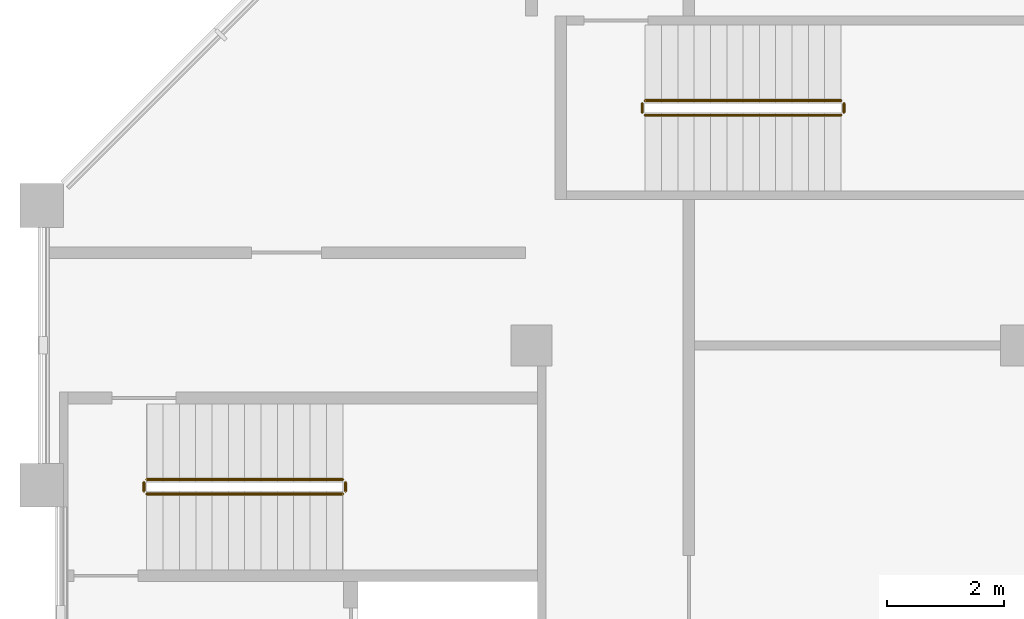
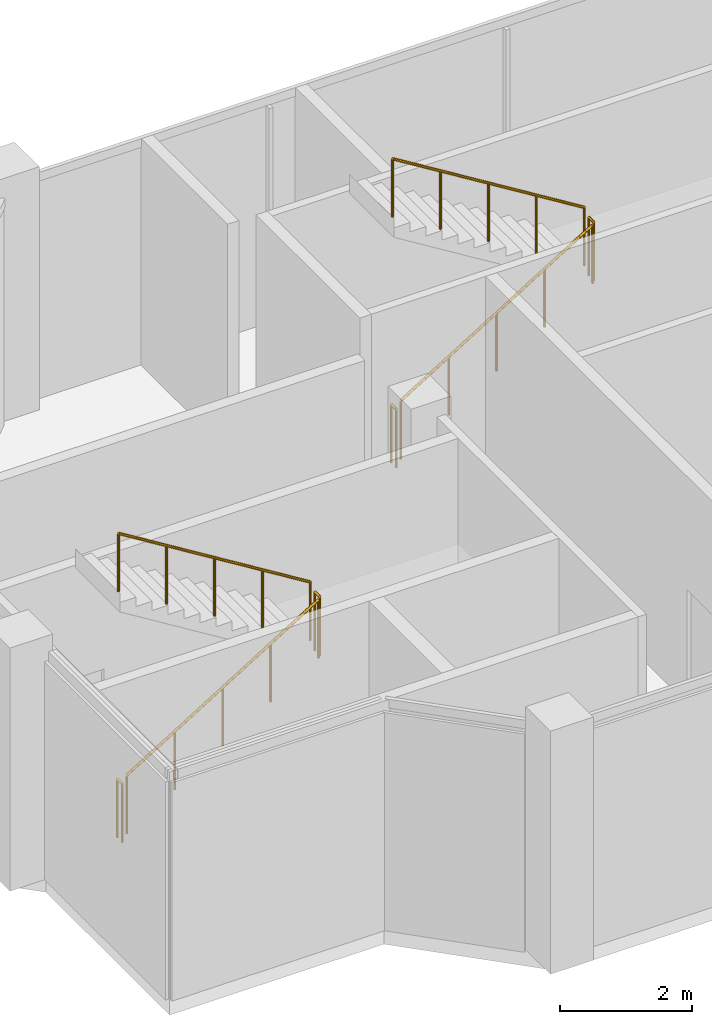
# One storey, part 8 of 9: 8 railings.
"""IFC4 building model written with IfcOpenShell, lengths in metres."""

from ifc_helpers import new_model, si_unit, direction, frame, origin, origin_2d, place, context, subcontext, project, spatial, circle, extrude, material, type_object, element, save


model = new_model("IFC4")

# Units and contexts
model_context = context("Model", 3, precision=1e-05, world=origin(), true_north=direction((0.0, 1.0)))
body_context = subcontext(model_context, "Body", "Model", "MODEL_VIEW")
ifc_project = project(units=[si_unit("LENGTHUNIT", "METRE"), si_unit("AREAUNIT", "SQUARE_METRE"), si_unit("VOLUMEUNIT", "CUBIC_METRE"), si_unit("PLANEANGLEUNIT", "RADIAN"), si_unit("MASSUNIT", "GRAM", prefix="KILO")], contexts=[model_context])

# Site, building, storey
site_placement = place(None, origin())
site = spatial("IfcSite", under=ifc_project, at=site_placement, CompositionType="ELEMENT")
building_placement = place(site_placement, origin())
building = spatial("IfcBuilding", under=site, at=building_placement, Name="Kawkab Arch Medical Tower", CompositionType="ELEMENT")
storey_placement = place(building_placement, frame((0.0, 0.0, 341.199951171875)))
storey = spatial("IfcBuildingStorey", under=building, at=storey_placement, Name="L79", CompositionType="ELEMENT", Elevation=341.199951171875)

# Railings
ifc_material = material(Name="Stainless steel", Category="steel")
railing_type = type_object("IfcRailingType", Name="Stair guard 1100", PredefinedType="GUARDRAIL", material=ifc_material)
railing_1_placement = place(storey_placement, frame((1.800048828125, -36.14990234375, 0.173095703125)))
element("IfcRailing", 1, at=railing_1_placement, inside=storey, type_object=railing_type, Name="L79 ST6 stair guard 1", PredefinedType="GUARDRAIL", context=body_context, shape_type="SweptSolid", body=[
    extrude(circle(Radius=0.02392578125, at=origin_2d()), frame((0.0, 0.0, 1.076171875), z_axis=(0.850606129759, 0.0, 0.525803396734), x_axis=(0.0, 1.0, 0.0)), (0.0, 0.0, 1.0), 3.949951171875),
    extrude(circle(Radius=0.02099609375, at=origin_2d()), origin(), (0.0, 0.0, 1.0), 1.052001953125),
    extrude(circle(Radius=0.02099609375, at=origin_2d()), frame((0.83984375, 0.0, 0.519287109375)), (0.0, 0.0, 1.0), 1.052001953125),
    extrude(circle(Radius=0.02099609375, at=origin_2d()), frame((1.679931640625, 0.0, 1.03857421875)), (0.0, 0.0, 1.0), 1.052001953125),
    extrude(circle(Radius=0.02099609375, at=origin_2d()), frame((2.52001953125, 0.0, 1.5576171875)), (0.0, 0.0, 1.0), 1.052001953125),
    extrude(circle(Radius=0.02099609375, at=origin_2d()), frame((3.35986328125, 0.0, 2.076904296875)), (0.0, 0.0, 1.0), 1.052001953125),
])
railing_2_placement = place(storey_placement, frame((5.2099609375, -36.10009765625, 2.25)))
element("IfcRailing", 2, at=railing_2_placement, inside=storey, type_object=railing_type, Name="L79 ST6 stair guard 2", PredefinedType="GUARDRAIL", context=body_context, shape_type="SweptSolid", body=[
    extrude(circle(Radius=0.02392578125, at=origin_2d()), frame((0.0, 0.0, 1.076171875), z_axis=(0.0, 1.0, 0.0), x_axis=(-1.0, 0.0, 0.0)), (0.0, 0.0, 1.0), 0.150146484375),
    extrude(circle(Radius=0.02099609375, at=origin_2d()), origin(), (0.0, 0.0, 1.0), 1.052001953125),
    extrude(circle(Radius=0.02099609375, at=origin_2d()), frame((0.0, 0.150146484375, 0.0)), (0.0, 0.0, 1.0), 1.052001953125),
])
railing_3_placement = place(storey_placement, frame((5.159912109375, -35.89990234375, 2.423095703125)))
element("IfcRailing", 3, at=railing_3_placement, inside=storey, type_object=railing_type, Name="L79 ST6 stair guard 3", PredefinedType="GUARDRAIL", context=body_context, shape_type="SweptSolid", body=[
    extrude(circle(Radius=0.02392578125, at=origin_2d()), frame((0.0, 0.0, 1.076171875), z_axis=(-0.850606129759, 0.0, 0.525803396734), x_axis=(0.0, -1.0, 0.0)), (0.0, 0.0, 1.0), 3.949951171875),
    extrude(circle(Radius=0.02099609375, at=origin_2d()), origin(), (0.0, 0.0, 1.0), 1.052001953125),
    extrude(circle(Radius=0.02099609375, at=origin_2d()), frame((-0.83984375, 0.0, 0.519287109375)), (0.0, 0.0, 1.0), 1.052001953125),
    extrude(circle(Radius=0.02099609375, at=origin_2d()), frame((-1.679931640625, 0.0, 1.03857421875)), (0.0, 0.0, 1.0), 1.052001953125),
    extrude(circle(Radius=0.02099609375, at=origin_2d()), frame((-2.52001953125, 0.0, 1.5576171875)), (0.0, 0.0, 1.0), 1.052001953125),
    extrude(circle(Radius=0.02099609375, at=origin_2d()), frame((-3.35986328125, 0.0, 2.076904296875)), (0.0, 0.0, 1.0), 1.052001953125),
])
railing_4_placement = place(storey_placement, frame((1.75, -36.10009765625, 0.0)))
element("IfcRailing", 4, at=railing_4_placement, inside=storey, type_object=railing_type, Name="L79 ST6 stair guard 4", PredefinedType="GUARDRAIL", context=body_context, shape_type="SweptSolid", body=[
    extrude(circle(Radius=0.02392578125, at=origin_2d()), frame((0.0, 0.0, 1.076171875), z_axis=(0.0, 1.0, 0.0), x_axis=(-1.0, 0.0, 0.0)), (0.0, 0.0, 1.0), 0.150146484375),
    extrude(circle(Radius=0.02099609375, at=origin_2d()), origin(), (0.0, 0.0, 1.0), 1.052001953125),
    extrude(circle(Radius=0.02099609375, at=origin_2d()), frame((0.0, 0.150146484375, 0.0)), (0.0, 0.0, 1.0), 1.052001953125),
])
railing_5_placement = place(storey_placement, frame((10.35009765625, -29.64990234375, 0.173095703125)))
element("IfcRailing", 5, at=railing_5_placement, inside=storey, type_object=railing_type, Name="L79 ST9 stair guard 1", PredefinedType="GUARDRAIL", context=body_context, shape_type="SweptSolid", body=[
    extrude(circle(Radius=0.02392578125, at=origin_2d()), frame((0.0, 0.0, 1.076171875), z_axis=(0.850606129759, 0.0, 0.525803396734), x_axis=(0.0, 1.0, 0.0)), (0.0, 0.0, 1.0), 3.949951171875),
    extrude(circle(Radius=0.02099609375, at=origin_2d()), origin(), (0.0, 0.0, 1.0), 1.052001953125),
    extrude(circle(Radius=0.02099609375, at=origin_2d()), frame((0.83984375, 0.0, 0.519287109375)), (0.0, 0.0, 1.0), 1.052001953125),
    extrude(circle(Radius=0.02099609375, at=origin_2d()), frame((1.679931640625, 0.0, 1.03857421875)), (0.0, 0.0, 1.0), 1.052001953125),
    extrude(circle(Radius=0.02099609375, at=origin_2d()), frame((2.52001953125, 0.0, 1.5576171875)), (0.0, 0.0, 1.0), 1.052001953125),
    extrude(circle(Radius=0.02099609375, at=origin_2d()), frame((3.35986328125, 0.0, 2.076904296875)), (0.0, 0.0, 1.0), 1.052001953125),
])
railing_6_placement = place(storey_placement, frame((13.760009765625, -29.60009765625, 2.25)))
element("IfcRailing", 6, at=railing_6_placement, inside=storey, type_object=railing_type, Name="L79 ST9 stair guard 2", PredefinedType="GUARDRAIL", context=body_context, shape_type="SweptSolid", body=[
    extrude(circle(Radius=0.02392578125, at=origin_2d()), frame((0.0, 0.0, 1.076171875), z_axis=(0.0, 1.0, 0.0), x_axis=(-1.0, 0.0, 0.0)), (0.0, 0.0, 1.0), 0.150146484375),
    extrude(circle(Radius=0.02099609375, at=origin_2d()), origin(), (0.0, 0.0, 1.0), 1.052001953125),
    extrude(circle(Radius=0.02099609375, at=origin_2d()), frame((0.0, 0.150146484375, 0.0)), (0.0, 0.0, 1.0), 1.052001953125),
])
railing_7_placement = place(storey_placement, frame((13.7099609375, -29.39990234375, 2.423095703125)))
element("IfcRailing", 7, at=railing_7_placement, inside=storey, type_object=railing_type, Name="L79 ST9 stair guard 3", PredefinedType="GUARDRAIL", context=body_context, shape_type="SweptSolid", body=[
    extrude(circle(Radius=0.02392578125, at=origin_2d()), frame((0.0, 0.0, 1.076171875), z_axis=(-0.850606129759, 0.0, 0.525803396734), x_axis=(0.0, -1.0, 0.0)), (0.0, 0.0, 1.0), 3.949951171875),
    extrude(circle(Radius=0.02099609375, at=origin_2d()), origin(), (0.0, 0.0, 1.0), 1.052001953125),
    extrude(circle(Radius=0.02099609375, at=origin_2d()), frame((-0.83984375, 0.0, 0.519287109375)), (0.0, 0.0, 1.0), 1.052001953125),
    extrude(circle(Radius=0.02099609375, at=origin_2d()), frame((-1.679931640625, 0.0, 1.03857421875)), (0.0, 0.0, 1.0), 1.052001953125),
    extrude(circle(Radius=0.02099609375, at=origin_2d()), frame((-2.52001953125, 0.0, 1.5576171875)), (0.0, 0.0, 1.0), 1.052001953125),
    extrude(circle(Radius=0.02099609375, at=origin_2d()), frame((-3.35986328125, 0.0, 2.076904296875)), (0.0, 0.0, 1.0), 1.052001953125),
])
railing_8_placement = place(storey_placement, frame((10.300048828125, -29.60009765625, 0.0)))
element("IfcRailing", 8, at=railing_8_placement, inside=storey, type_object=railing_type, Name="L79 ST9 stair guard 4", PredefinedType="GUARDRAIL", context=body_context, shape_type="SweptSolid", body=[
    extrude(circle(Radius=0.02392578125, at=origin_2d()), frame((0.0, 0.0, 1.076171875), z_axis=(0.0, 1.0, 0.0), x_axis=(-1.0, 0.0, 0.0)), (0.0, 0.0, 1.0), 0.150146484375),
    extrude(circle(Radius=0.02099609375, at=origin_2d()), origin(), (0.0, 0.0, 1.0), 1.052001953125),
    extrude(circle(Radius=0.02099609375, at=origin_2d()), frame((0.0, 0.150146484375, 0.0)), (0.0, 0.0, 1.0), 1.052001953125),
])

save(model, "model.ifc")
